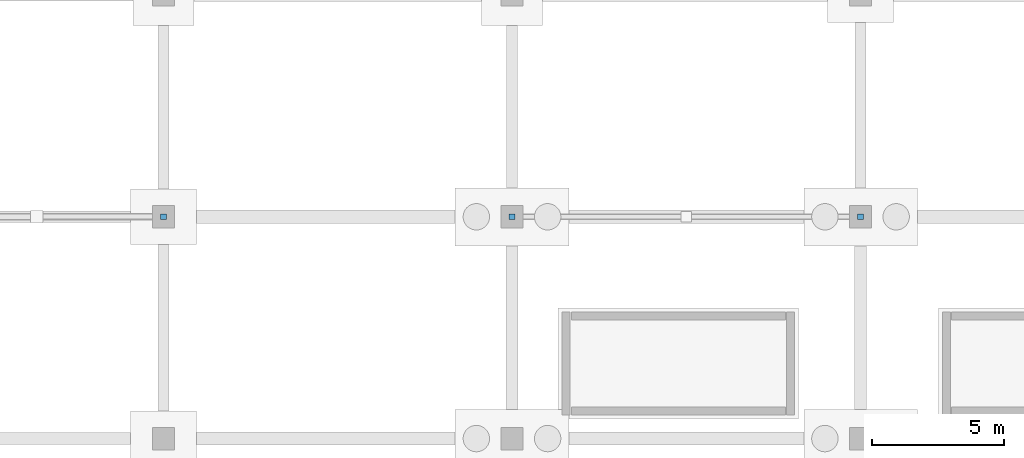
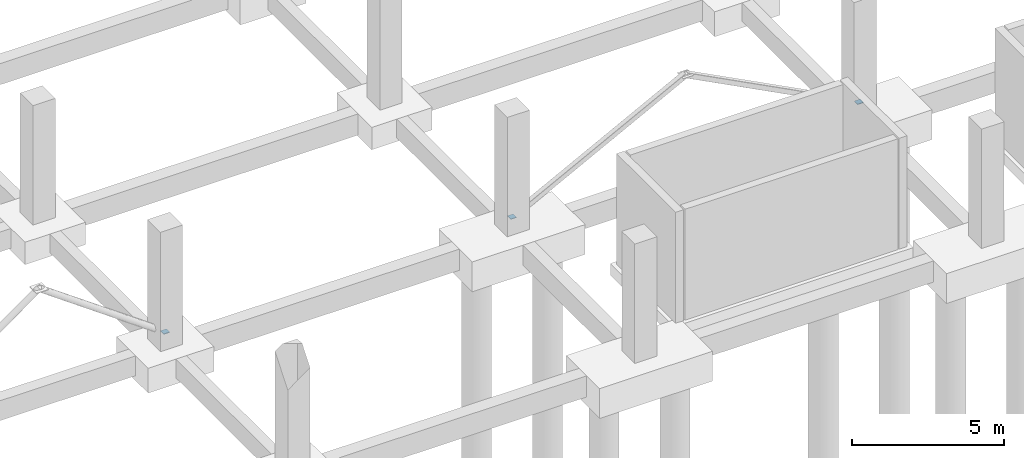
# One storey, part 42 of 44: 3 discrete accessories.
"""IFC4 building model written with IfcOpenShell, lengths in metres."""

from ifc_helpers import new_model, si_unit, direction, frame, origin, origin_2d, place, context, subcontext, project, spatial, rectangle, extrude, material, layer, layer_set, type_object, element, save


model = new_model("IFC4")

# Units and contexts
model_context = context("Model", 3, precision=1e-05, world=origin(), true_north=direction((0.0, 1.0)))
body_context = subcontext(model_context, "Body", "Model", "MODEL_VIEW")
ifc_project = project(units=[si_unit("LENGTHUNIT", "METRE"), si_unit("AREAUNIT", "SQUARE_METRE"), si_unit("VOLUMEUNIT", "CUBIC_METRE"), si_unit("PLANEANGLEUNIT", "RADIAN"), si_unit("MASSUNIT", "GRAM", prefix="KILO")], contexts=[model_context])

# Site, building, storey
site_placement = place(None, origin())
site = spatial("IfcSite", under=ifc_project, at=site_placement, CompositionType="ELEMENT")
building_placement = place(site_placement, origin())
building = spatial("IfcBuilding", under=site, at=building_placement, Name="Kisaragi Civic Commons", CompositionType="ELEMENT")
storey_placement = place(building_placement, frame((0.0, 0.0, -4.800048828125)))
storey = spatial("IfcBuildingStorey", under=building, at=storey_placement, Name="B1", CompositionType="ELEMENT", Elevation=-4.800048828125)

# Discrete accessories
ifc_material = material(Name="Steel SN490 (SN490B)", Category="steel")
ifc_layer = layer(ifc_material, 0.02392578125, Name="Steel SN490 (SN490B)", Category="steel")
ifc_layer_set = layer_set([ifc_layer], Name="Steel SN490 (SN490B)")
discrete_accessory_type = type_object("IfcDiscreteAccessoryType", Name="CN-01", PredefinedType="SHOE", material=ifc_layer_set)
for number, where, z_axis, x_axis, name in (
    (1, (133.199951171875, 8.39990234375, 0.38818359375), (0.0, 0.0, 1.0), (1.0, 0.0, 0.0), "Brace/strut steel end connection 15"),
    (2, (146.39990234375, 8.39990234375, 0.38818359375), (0.0, 0.0, 1.0), (1.0, 0.0, 0.0), "Brace/strut steel end connection 16"),
    (3, (159.60009765625, 8.39990234375, 0.38818359375), (0.0, 0.0, 1.0), (1.0, 0.0, 0.0), "Brace/strut steel end connection 17"),
):
    element("IfcDiscreteAccessory", number, at=place(storey_placement, frame(where, z_axis=z_axis, x_axis=x_axis)), inside=storey, type_object=discrete_accessory_type, Name=name, PredefinedType="SHOE", context=body_context, shape_type="SweptSolid", body=[
        extrude(rectangle(XDim=0.219970703125, YDim=0.219970703125, at=origin_2d()), origin(), (0.0, 0.0, 1.0), 0.02392578125),
    ])

save(model, "model.ifc")
